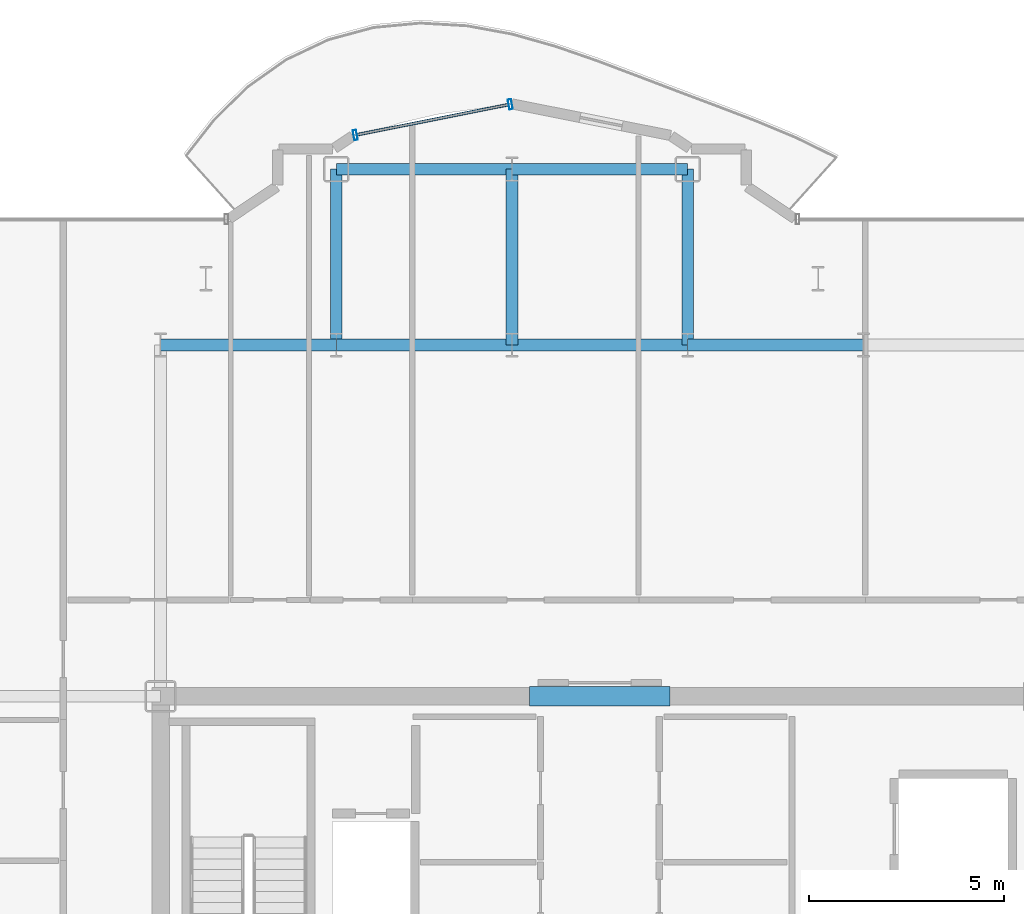
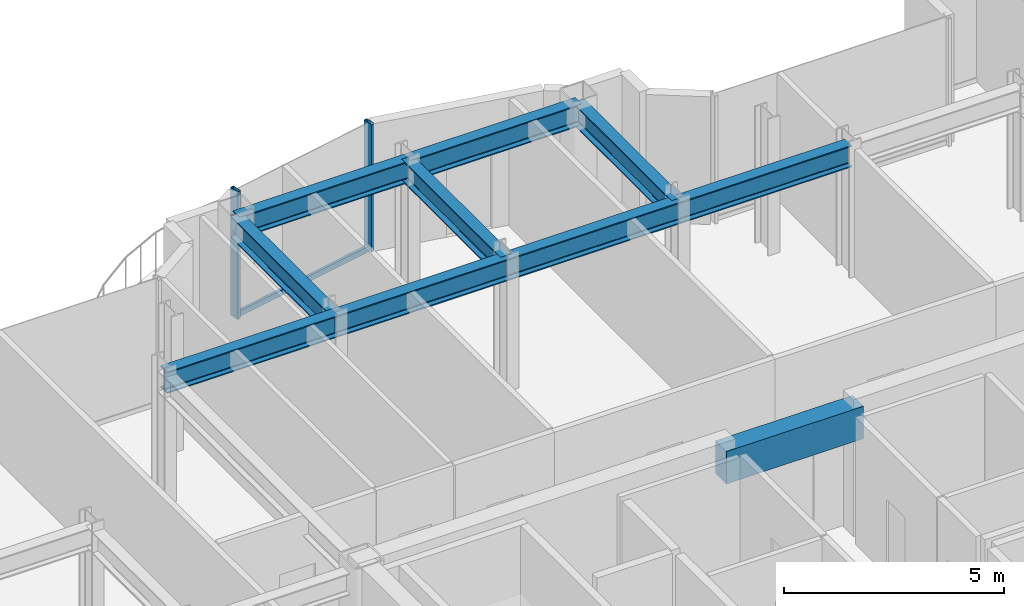
# One storey, part 10 of 18: 10 beams, 3 members, 1 element without a shape of its own.
"""IFC4 building model written with IfcOpenShell, lengths in metres."""

from ifc_helpers import new_model, si_unit, direction, frame, origin, origin_2d, place, context, subcontext, project, spatial, rectangle, hollow_rectangle, i_section, extrude, source, transform, mapped, material, layer, layer_set, material_profile, profile_set, type_object, element, aggregate, save


model = new_model("IFC4")

# Units and contexts
model_context = context("Model", 3, precision=1e-05, world=origin(), true_north=direction((0.0, 1.0)))
body_context = subcontext(model_context, "Body", "Model", "MODEL_VIEW")
ifc_project = project(units=[si_unit("LENGTHUNIT", "METRE"), si_unit("AREAUNIT", "SQUARE_METRE"), si_unit("VOLUMEUNIT", "CUBIC_METRE"), si_unit("PLANEANGLEUNIT", "RADIAN"), si_unit("MASSUNIT", "GRAM", prefix="KILO")], contexts=[model_context])

# Site, building, storey
site_placement = place(None, origin())
site = spatial("IfcSite", under=ifc_project, at=site_placement, CompositionType="ELEMENT")
building_placement = place(site_placement, origin())
building = spatial("IfcBuilding", under=site, at=building_placement, Name="Nefas-Gora Pilgrimage Tower", CompositionType="ELEMENT")
storey_placement = place(building_placement, frame((0.0, 0.0, 283.60009765625)))
storey = spatial("IfcBuildingStorey", under=building, at=storey_placement, Name="L71", CompositionType="ELEMENT", Elevation=283.60009765625)

# Beams
ifc_material_1 = material(Name="Concrete C50/60", Category="concrete")
ifc_material_profile_1 = material_profile(ifc_material_1, rectangle(XDim=0.5, YDim=0.89990234375, at=origin_2d()), Name="RC 500x900")
ifc_profile_set_1 = profile_set([ifc_material_profile_1], Name="Concrete C50/60")
beam_type_1 = type_object("IfcBeamType", Name="BM-LIN-RC900", PredefinedType="LINTEL", material=ifc_profile_set_1)
shared_shape_1 = source(origin(), body_context, "Body", "SweptSolid", [
    extrude(rectangle(XDim=0.5, YDim=0.89990234375, at=origin_2d()), origin(), (0.0, 0.0, 1.0), 3.60009765625),
])
beam_placement = place(storey_placement, frame((-1.800048828125, 9.0, 3.099853515625), z_axis=(1.0, 0.0, 0.0), x_axis=(0.0, 1.0, 0.0)))
element("IfcBeam", 1, at=beam_placement, inside=storey, type_object=beam_type_1, Name="L71 Core Coupling Lintel Beam N", PredefinedType="LINTEL", context=body_context, shape_type="MappedRepresentation", body=[
    mapped(shared_shape_1, transform((0.0, 0.0, 0.0), x_axis=(1.0, 0.0, 0.0), y_axis=(0.0, 1.0, 0.0), z_axis=(0.0, 0.0, 1.0), scale=1.0)),
])
ifc_material_2 = material(Name="Steel S355", Category="steel")
ifc_material_profile_2 = material_profile(ifc_material_2, i_section(OverallWidth=0.300048828125, OverallDepth=0.60009765625, WebThickness=0.015380859375, FlangeThickness=0.030029296875, FilletRadius=0.027099609375, at=origin_2d()), Name="HEB 600")
ifc_profile_set_2 = profile_set([ifc_material_profile_2], Name="Steel S355")
beam_type_2 = type_object("IfcBeamType", Name="BM-GIR-HEB600", PredefinedType="BEAM", material=ifc_profile_set_2)
shared_shape_2 = source(origin(), body_context, "Body", "SweptSolid", [
    extrude(i_section(OverallWidth=0.300048828125, OverallDepth=0.60009765625, WebThickness=0.015380859375, FlangeThickness=0.030029296875, FilletRadius=0.027099609375, at=origin_2d()), origin(), (0.0, 0.0, 1.0), 4.5),
])
for number, where, z_axis, x_axis, name in (
    (2, (-11.25, 18.0, 3.25), (1.0, 0.0, 0.0), (0.0, 1.0, 0.0), "L71 G-04 beam"),
    (3, (-6.75, 18.0, 3.25), (0.0, 1.0, 0.0), (-1.0, 0.0, 0.0), "L71 G-04 beam"),
    (4, (-6.75, 18.0, 3.25), (1.0, 0.0, 0.0), (0.0, 1.0, 0.0), "L71 G-04 beam"),
    (5, (-6.75, 22.5, 3.25), (1.0, 0.0, 0.0), (0.0, 1.0, 0.0), "L71 G-04 beam"),
    (6, (-2.25, 18.0, 3.25), (0.0, 1.0, 0.0), (-1.0, 0.0, 0.0), "L71 G-04 beam"),
    (7, (-2.25, 18.0, 3.25), (1.0, 0.0, 0.0), (0.0, 1.0, 0.0), "L71 G-04 beam"),
    (8, (-2.25, 22.5, 3.25), (1.0, 0.0, 0.0), (0.0, 1.0, 0.0), "L71 G-04 beam"),
    (9, (2.25, 18.0, 3.25), (0.0, 1.0, 0.0), (-1.0, 0.0, 0.0), "L71 G-04 beam"),
    (10, (2.25, 18.0, 3.25), (1.0, 0.0, 0.0), (0.0, 1.0, 0.0), "L71 G-04 beam"),
):
    element("IfcBeam", number, at=place(storey_placement, frame(where, z_axis=z_axis, x_axis=x_axis)), inside=storey, type_object=beam_type_2, Name=name, PredefinedType="BEAM", context=body_context, shape_type="MappedRepresentation", body=[
        mapped(shared_shape_2, transform((0.0, 0.0, 0.0), x_axis=(1.0, 0.0, 0.0), y_axis=(0.0, 1.0, 0.0), z_axis=(0.0, 0.0, 1.0), scale=1.0)),
    ])

# Curtain wall, members
ifc_material_3 = material(Name="Dark ceramic-fritted solar-control aluminium-glass curtain wall", Category="aluminium")
ifc_layer = layer(ifc_material_3, 0.219970703125)
ifc_layer_set = layer_set([ifc_layer], Name="Dark ceramic-fritted solar-control aluminium-glass curtain wall")
curtain_wall_type = type_object("IfcCurtainWallType", Name="CW-SYS-5", PredefinedType="NOTDEFINED", material=ifc_layer_set)
curtain_wall_placement = place(storey_placement, origin())
curtain_wall = element("IfcCurtainWall", 11, at=curtain_wall_placement, inside=storey, type_object=curtain_wall_type, Name="L71 Unitised Curtain Wall CW5", PredefinedType="NOTDEFINED")
ifc_material_4 = material(Name="Anodised architectural aluminium", Category="aluminium")
ifc_material_profile_3 = material_profile(ifc_material_4, hollow_rectangle(XDim=0.080078125, YDim=0.159912109375, WallThickness=0.00439453125, InnerFilletRadius=0.00439453125, OuterFilletRadius=0.009033203125, at=origin_2d()), Name="ALU TRANSOM 80x160")
ifc_profile_set_3 = profile_set([ifc_material_profile_3], Name="Anodised architectural aluminium")
member_type_1 = type_object("IfcMemberType", Name="CWM-TRN-5", PredefinedType="USERDEFINED", material=ifc_profile_set_3)
shared_shape_3 = source(origin(), body_context, "Body", "SweptSolid", [
    extrude(hollow_rectangle(XDim=0.080078125, YDim=0.159912109375, WallThickness=0.00439453125, InnerFilletRadius=0.00439453125, OuterFilletRadius=0.009033203125, at=origin_2d()), origin(), (0.0, 0.0, 1.0), 3.95654296875),
])
member_1_placement = place(storey_placement, frame((-2.33837890625, 24.15478515625, 0.0498046875), z_axis=(-0.980781880918, -0.195107411605, 0.0), x_axis=(0.195107411605, -0.980781880918, 0.0)))
member_1 = element("IfcMember", 12, at=member_1_placement, type_object=member_type_1, Name="CW5 Spandrel Transom", ObjectType="TRANSOM", PredefinedType="USERDEFINED", context=body_context, shape_type="MappedRepresentation", body=[
    mapped(shared_shape_3, transform((0.0, 0.0, 0.0), x_axis=(1.0, 0.0, 0.0), y_axis=(0.0, 1.0, 0.0), z_axis=(0.0, 0.0, 1.0), scale=1.0)),
])
ifc_material_profile_4 = material_profile(ifc_material_4, hollow_rectangle(XDim=0.090087890625, YDim=0.260009765625, WallThickness=0.006103515625, InnerFilletRadius=0.006103515625, OuterFilletRadius=0.011962890625, at=origin_2d()), Name="ALU MULLION 90x260")
ifc_profile_set_4 = profile_set([ifc_material_profile_4], Name="Anodised architectural aluminium")
member_type_2 = type_object("IfcMemberType", Name="CWM-MUL-5", PredefinedType="MULLION", material=ifc_profile_set_4)
shared_shape_4 = source(origin(), body_context, "Body", "SweptSolid", [
    extrude(hollow_rectangle(XDim=0.090087890625, YDim=0.260009765625, WallThickness=0.006103515625, InnerFilletRadius=0.006103515625, OuterFilletRadius=0.011962890625, at=origin_2d()), origin(), (0.0, 0.0, 1.0), 3.5498046875),
])
member_2_placement = place(storey_placement, frame((-2.294189453125, 24.16357421875, 0.0), z_axis=(0.0, 0.0, 1.0), x_axis=(-0.980782896852, -0.195102304554, 0.0)))
member_2 = element("IfcMember", 13, at=member_2_placement, type_object=member_type_2, Name="CW5 Mullion 1", PredefinedType="MULLION", context=body_context, shape_type="MappedRepresentation", body=[
    mapped(shared_shape_4, transform((0.0, 0.0, 0.0), x_axis=(1.0, 0.0, 0.0), y_axis=(0.0, 1.0, 0.0), z_axis=(0.0, 0.0, 1.0), scale=1.0)),
])
member_3_placement = place(storey_placement, frame((-6.26318359375, 23.3740234375, 0.0), z_axis=(0.0, 0.0, 1.0), x_axis=(-0.980782896852, -0.195102304554, 0.0)))
member_3 = element("IfcMember", 14, at=member_3_placement, type_object=member_type_2, Name="CW5 Mullion 2", PredefinedType="MULLION", context=body_context, shape_type="MappedRepresentation", body=[
    mapped(shared_shape_4, transform((0.0, 0.0, 0.0), x_axis=(1.0, 0.0, 0.0), y_axis=(0.0, 1.0, 0.0), z_axis=(0.0, 0.0, 1.0), scale=1.0)),
])
aggregate(curtain_wall, [member_2, member_3, member_1])

save(model, "model.ifc")
